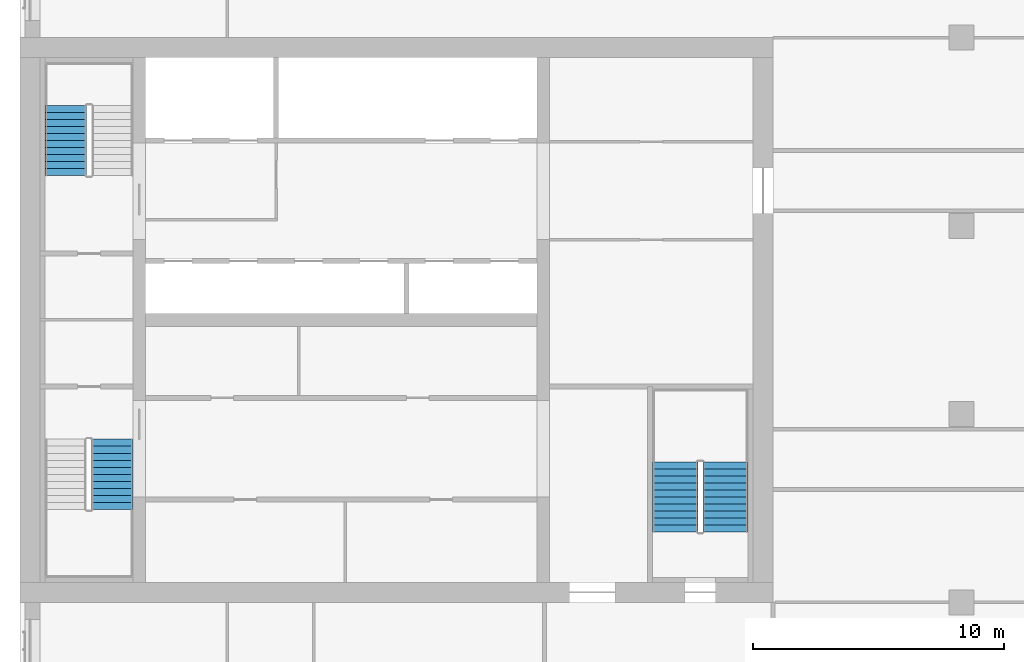
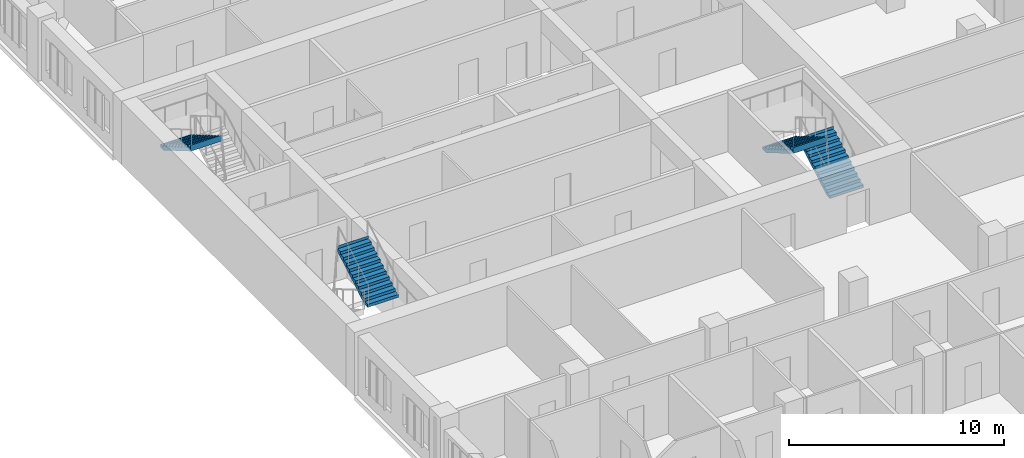
# One storey, part 12 of 14: 4 stair flights, 3 elements without a shape of their own.
"""IFC4 building model written with IfcOpenShell, lengths in metres."""

from ifc_helpers import new_model, si_unit, direction, frame, origin, place, context, subcontext, project, spatial, polyline, outline, extrude, material, type_object, element, aggregate, save


model = new_model("IFC4")

# Units and contexts
model_context = context("Model", 3, precision=1e-05, world=origin(), true_north=direction((0.0, 1.0)))
body_context = subcontext(model_context, "Body", "Model", "MODEL_VIEW")
ifc_project = project(units=[si_unit("LENGTHUNIT", "METRE"), si_unit("AREAUNIT", "SQUARE_METRE"), si_unit("VOLUMEUNIT", "CUBIC_METRE"), si_unit("PLANEANGLEUNIT", "RADIAN"), si_unit("MASSUNIT", "GRAM", prefix="KILO")], contexts=[model_context])

# Site, building, storey
site_placement = place(None, origin())
site = spatial("IfcSite", under=ifc_project, at=site_placement, CompositionType="ELEMENT")
building_placement = place(site_placement, origin())
building = spatial("IfcBuilding", under=site, at=building_placement, Name="Tamorin Gate", CompositionType="ELEMENT")
storey_placement = place(building_placement, frame((0.0, 0.0, 148.199951171875)))
storey = spatial("IfcBuildingStorey", under=building, at=storey_placement, Name="L36", CompositionType="ELEMENT", Elevation=148.199951171875)

# Stair, stair flight
ifc_material = material(Name="Concrete C40/50", Category="concrete")
stair_type = type_object("IfcStairType", Name="Exit stair", PredefinedType="HALF_TURN_STAIR", material=ifc_material)
stair_1_placement = place(storey_placement, origin())
stair_1 = element("IfcStair", 1, at=stair_1_placement, inside=storey, type_object=stair_type, Name="L36 stair ST1", PredefinedType="HALF_TURN_STAIR")
stair_flight_type = type_object("IfcStairFlightType", Name="Exit stair flight", PredefinedType="STRAIGHT", material=ifc_material)
stair_flight_1_placement = place(storey_placement, frame((33.675048828125, 63.699951171875, 1.800048828125), z_axis=(0.0, 0.0, 1.0), x_axis=(0.0, 1.0, 0.0)))
stair_flight_1 = element("IfcStairFlight", 2, at=stair_flight_1_placement, type_object=stair_flight_type, Name="ST1 flight 2", NumberOfRisers=11, NumberOfTreads=10, PredefinedType="STRAIGHT", RiserHeight=0.163636364, TreadLength=0.28, context=body_context, shape_type="SweptSolid", body=[
    extrude(outline(polyline([(-0.00048828125, 0.0), (-0.00048828125, 0.001708984375), (-0.00048828125, 0.003173828125), (-0.00048828125, 0.0048828125), (-0.00048828125, 0.006591796875), (-0.00048828125, 0.008056640625), (-0.00048828125, 0.009765625), (-0.00048828125, 0.01123046875), (-0.00048828125, 0.012939453125), (-0.00048828125, 0.0146484375), (-0.00048828125, 0.01611328125), (-0.00048828125, 0.017822265625), (-0.00048828125, 0.01953125), (-0.00048828125, 0.02099609375), (-0.00048828125, 0.022705078125), (-0.00048828125, 0.0244140625), (-0.00048828125, 0.02587890625), (-0.00048828125, 0.027587890625), (-0.00048828125, 0.029052734375), (-0.00048828125, 0.03076171875), (-0.00048828125, 0.032470703125), (-0.00048828125, 0.033935546875), (-0.00048828125, 0.03564453125), (-0.00048828125, 0.037353515625), (-0.00048828125, 0.038818359375), (-0.00048828125, 0.04052734375), (-0.00048828125, 0.042236328125), (-0.00048828125, 0.043701171875), (-0.00048828125, 0.04541015625), (-0.00048828125, 0.046875), (-0.00048828125, 0.048583984375), (-0.00048828125, 0.05029296875), (-0.00048828125, 0.0517578125), (-0.00048828125, 0.053466796875), (-0.00048828125, 0.05517578125), (-0.00048828125, 0.056640625), (-0.00048828125, 0.058349609375), (-0.00048828125, 0.06005859375), (-0.00048828125, 0.0615234375), (-0.00048828125, 0.063232421875), (-0.00048828125, 0.064697265625), (-0.00048828125, 0.06640625), (-0.00048828125, 0.068115234375), (-0.00048828125, 0.069580078125), (-0.00048828125, 0.0712890625), (-0.00048828125, 0.072998046875), (-0.00048828125, 0.074462890625), (-0.00048828125, 0.076171875), (-0.00048828125, 0.077880859375), (-0.00048828125, 0.079345703125), (-0.00048828125, 0.0810546875), (-0.00048828125, 0.08251953125), (-0.00048828125, 0.084228515625), (-0.00048828125, 0.0859375), (-0.00048828125, 0.08740234375), (-0.00048828125, 0.089111328125), (-0.00048828125, 0.0908203125), (-0.00048828125, 0.09228515625), (-0.00048828125, 0.093994140625), (-0.00048828125, 0.095703125), (-0.00048828125, 0.09716796875), (-0.00048828125, 0.098876953125), (-0.00048828125, 0.100341796875), (-0.00048828125, 0.10205078125), (-0.00048828125, 0.103759765625), (-0.00048828125, 0.105224609375), (-0.00048828125, 0.10693359375), (-0.00048828125, 0.108642578125), (-0.00048828125, 0.110107421875), (-0.00048828125, 0.11181640625), (-0.00048828125, 0.113525390625), (-0.00048828125, 0.114990234375), (-0.00048828125, 0.11669921875), (-0.00048828125, 0.1181640625), (-0.00048828125, 0.119873046875), (-0.00048828125, 0.12158203125), (-0.00048828125, 0.123046875), (-0.00048828125, 0.124755859375), (-0.00048828125, 0.12646484375), (-0.00048828125, 0.1279296875), (-0.00048828125, 0.129638671875), (-0.00048828125, 0.13134765625), (-0.00048828125, 0.1328125), (-0.00048828125, 0.134521484375), (-0.00048828125, 0.135986328125), (-0.00048828125, 0.1376953125), (-0.00048828125, 0.139404296875), (-0.00048828125, 0.140869140625), (-0.00048828125, 0.142578125), (-0.00048828125, 0.144287109375), (-0.00048828125, 0.145751953125), (-0.00048828125, 0.1474609375), (-0.00048828125, 0.149169921875), (-0.00048828125, 0.150634765625), (-0.00048828125, 0.15234375), (-0.00048828125, 0.15380859375), (-0.00048828125, 0.155517578125), (-0.00048828125, 0.1572265625), (-0.00048828125, 0.15869140625), (-0.00048828125, 0.160400390625), (-0.00048828125, 0.162109375), (-0.00048828125, 0.16357421875), (0.280029296875, 0.16357421875), (0.280029296875, 0.327392578125), (0.56005859375, 0.327392578125), (0.56005859375, 0.490966796875), (0.840087890625, 0.490966796875), (0.840087890625, 0.654541015625), (1.1201171875, 0.654541015625), (1.1201171875, 0.818115234375), (1.39990234375, 0.818115234375), (1.39990234375, 0.98193359375), (1.679931640625, 0.98193359375), (1.679931640625, 1.1455078125), (1.9599609375, 1.1455078125), (1.9599609375, 1.30908203125), (2.239990234375, 1.30908203125), (2.239990234375, 1.47265625), (2.52001953125, 1.47265625), (2.52001953125, 1.636474609375), (2.800048828125, 1.636474609375), (2.800048828125, 1.800048828125), (2.800537109375, 1.800048828125), (2.800537109375, 1.796630859375), (2.800537109375, 1.793212890625), (2.800537109375, 1.7900390625), (2.800537109375, 1.78662109375), (2.800537109375, 1.783203125), (2.800537109375, 1.780029296875), (2.800537109375, 1.776611328125), (2.800537109375, 1.773193359375), (2.800537109375, 1.77001953125), (2.800537109375, 1.7666015625), (2.800537109375, 1.76318359375), (2.800537109375, 1.760009765625), (2.800537109375, 1.756591796875), (2.800537109375, 1.753173828125), (2.800537109375, 1.75), (2.800537109375, 1.74658203125), (2.800537109375, 1.7431640625), (2.800537109375, 1.739990234375), (2.800537109375, 1.736572265625), (2.800537109375, 1.733154296875), (2.800537109375, 1.72998046875), (2.800537109375, 1.7265625), (2.800537109375, 1.72314453125), (2.800537109375, 1.719970703125), (2.800537109375, 1.716552734375), (2.800537109375, 1.713134765625), (2.800537109375, 1.7099609375), (2.800537109375, 1.70654296875), (2.800537109375, 1.703125), (2.800537109375, 1.69970703125), (2.800537109375, 1.696533203125), (2.800537109375, 1.693115234375), (2.800537109375, 1.689697265625), (2.800537109375, 1.6865234375), (2.800537109375, 1.68310546875), (2.800537109375, 1.6796875), (2.800537109375, 1.676513671875), (2.800537109375, 1.673095703125), (2.800537109375, 1.669677734375), (2.800537109375, 1.66650390625), (2.800537109375, 1.6630859375), (2.800537109375, 1.65966796875), (2.800537109375, 1.656494140625), (2.800537109375, 1.653076171875), (2.800537109375, 1.649658203125), (2.800537109375, 1.646484375), (2.800537109375, 1.64306640625), (2.800537109375, 1.6396484375), (2.800537109375, 1.636474609375), (2.800537109375, 1.633056640625), (2.800537109375, 1.629638671875), (2.800537109375, 1.62646484375), (2.800537109375, 1.623046875), (2.800537109375, 1.61962890625), (2.800537109375, 1.616455078125), (2.800537109375, 1.613037109375), (2.800537109375, 1.609619140625), (2.800537109375, 1.6064453125), (2.800537109375, 1.60302734375), (2.800537109375, 1.599609375), (2.800537109375, 1.59619140625), (2.800537109375, 1.593017578125), (2.800537109375, 1.589599609375), (2.800537109375, 1.586181640625), (2.800537109375, 1.5830078125), (2.800537109375, 1.57958984375), (2.800537109375, 1.576171875), (2.800537109375, 1.572998046875), (2.800537109375, 1.569580078125), (2.800537109375, 1.566162109375), (2.800537109375, 1.56298828125), (2.800537109375, 1.5595703125), (2.800537109375, 1.55615234375), (2.800537109375, 1.552978515625), (2.800537109375, 1.549560546875), (2.800537109375, 1.546142578125), (2.800537109375, 1.54296875), (2.800537109375, 1.53955078125), (2.800537109375, 1.5361328125), (2.800537109375, 1.532958984375), (2.800537109375, 1.529541015625), (2.800537109375, 1.526123046875), (2.800537109375, 1.52294921875), (2.800537109375, 1.51953125), (2.800537109375, 1.51611328125), (2.800537109375, 1.512939453125), (2.800537109375, 1.509521484375), (2.800537109375, 1.506103515625), (2.800537109375, 1.5029296875), (2.800537109375, 1.49951171875), (2.800537109375, 1.49609375), (2.800537109375, 1.49267578125), (2.800537109375, 1.489501953125), (2.800537109375, 1.486083984375), (2.800537109375, 1.482666015625), (2.800537109375, 1.4794921875), (2.800537109375, 1.47607421875), (2.800537109375, 1.47265625), (2.800537109375, 1.469482421875), (2.800537109375, 1.466064453125), (2.800537109375, 1.462646484375), (2.800048828125, 1.462646484375), (0.297119140625, 0.0), (-0.00048828125, 0.0)])), frame((0.0, 0.824951171875, 0.0), z_axis=(0.0, -1.0, 0.0), x_axis=(1.0, 0.0, 0.0)), (0.0, 0.0, 1.0), 1.64990234375),
])
aggregate(stair_1, [stair_flight_1])

stair_2_placement = place(storey_placement, origin())
stair_2 = element("IfcStair", 3, at=stair_2_placement, inside=storey, type_object=stair_type, Name="L36 stair ST2", PredefinedType="HALF_TURN_STAIR")
stair_flight_2_placement = place(storey_placement, frame((31.824951171875, 79.800048828125, 1.800048828125), z_axis=(0.0, 0.0, 1.0), x_axis=(0.0, -1.0, 0.0)))
stair_flight_2 = element("IfcStairFlight", 4, at=stair_flight_2_placement, type_object=stair_flight_type, Name="ST2 flight 2", NumberOfRisers=11, NumberOfTreads=10, PredefinedType="STRAIGHT", RiserHeight=0.163636364, TreadLength=0.28, context=body_context, shape_type="SweptSolid", body=[
    extrude(outline(polyline([(-0.00048828125, 0.0), (-0.00048828125, 0.001708984375), (-0.00048828125, 0.003173828125), (-0.00048828125, 0.0048828125), (-0.00048828125, 0.006591796875), (-0.00048828125, 0.008056640625), (-0.00048828125, 0.009765625), (-0.00048828125, 0.01123046875), (-0.00048828125, 0.012939453125), (-0.00048828125, 0.0146484375), (-0.00048828125, 0.01611328125), (-0.00048828125, 0.017822265625), (-0.00048828125, 0.01953125), (-0.00048828125, 0.02099609375), (-0.00048828125, 0.022705078125), (-0.00048828125, 0.0244140625), (-0.00048828125, 0.02587890625), (-0.00048828125, 0.027587890625), (-0.00048828125, 0.029052734375), (-0.00048828125, 0.03076171875), (-0.00048828125, 0.032470703125), (-0.00048828125, 0.033935546875), (-0.00048828125, 0.03564453125), (-0.00048828125, 0.037353515625), (-0.00048828125, 0.038818359375), (-0.00048828125, 0.04052734375), (-0.00048828125, 0.042236328125), (-0.00048828125, 0.043701171875), (-0.00048828125, 0.04541015625), (-0.00048828125, 0.046875), (-0.00048828125, 0.048583984375), (-0.00048828125, 0.05029296875), (-0.00048828125, 0.0517578125), (-0.00048828125, 0.053466796875), (-0.00048828125, 0.05517578125), (-0.00048828125, 0.056640625), (-0.00048828125, 0.058349609375), (-0.00048828125, 0.06005859375), (-0.00048828125, 0.0615234375), (-0.00048828125, 0.063232421875), (-0.00048828125, 0.064697265625), (-0.00048828125, 0.06640625), (-0.00048828125, 0.068115234375), (-0.00048828125, 0.069580078125), (-0.00048828125, 0.0712890625), (-0.00048828125, 0.072998046875), (-0.00048828125, 0.074462890625), (-0.00048828125, 0.076171875), (-0.00048828125, 0.077880859375), (-0.00048828125, 0.079345703125), (-0.00048828125, 0.0810546875), (-0.00048828125, 0.08251953125), (-0.00048828125, 0.084228515625), (-0.00048828125, 0.0859375), (-0.00048828125, 0.08740234375), (-0.00048828125, 0.089111328125), (-0.00048828125, 0.0908203125), (-0.00048828125, 0.09228515625), (-0.00048828125, 0.093994140625), (-0.00048828125, 0.095703125), (-0.00048828125, 0.09716796875), (-0.00048828125, 0.098876953125), (-0.00048828125, 0.100341796875), (-0.00048828125, 0.10205078125), (-0.00048828125, 0.103759765625), (-0.00048828125, 0.105224609375), (-0.00048828125, 0.10693359375), (-0.00048828125, 0.108642578125), (-0.00048828125, 0.110107421875), (-0.00048828125, 0.11181640625), (-0.00048828125, 0.113525390625), (-0.00048828125, 0.114990234375), (-0.00048828125, 0.11669921875), (-0.00048828125, 0.1181640625), (-0.00048828125, 0.119873046875), (-0.00048828125, 0.12158203125), (-0.00048828125, 0.123046875), (-0.00048828125, 0.124755859375), (-0.00048828125, 0.12646484375), (-0.00048828125, 0.1279296875), (-0.00048828125, 0.129638671875), (-0.00048828125, 0.13134765625), (-0.00048828125, 0.1328125), (-0.00048828125, 0.134521484375), (-0.00048828125, 0.135986328125), (-0.00048828125, 0.1376953125), (-0.00048828125, 0.139404296875), (-0.00048828125, 0.140869140625), (-0.00048828125, 0.142578125), (-0.00048828125, 0.144287109375), (-0.00048828125, 0.145751953125), (-0.00048828125, 0.1474609375), (-0.00048828125, 0.149169921875), (-0.00048828125, 0.150634765625), (-0.00048828125, 0.15234375), (-0.00048828125, 0.15380859375), (-0.00048828125, 0.155517578125), (-0.00048828125, 0.1572265625), (-0.00048828125, 0.15869140625), (-0.00048828125, 0.160400390625), (-0.00048828125, 0.162109375), (-0.00048828125, 0.16357421875), (0.280029296875, 0.16357421875), (0.280029296875, 0.327392578125), (0.56005859375, 0.327392578125), (0.56005859375, 0.490966796875), (0.840087890625, 0.490966796875), (0.840087890625, 0.654541015625), (1.1201171875, 0.654541015625), (1.1201171875, 0.818115234375), (1.39990234375, 0.818115234375), (1.39990234375, 0.98193359375), (1.679931640625, 0.98193359375), (1.679931640625, 1.1455078125), (1.9599609375, 1.1455078125), (1.9599609375, 1.30908203125), (2.239990234375, 1.30908203125), (2.239990234375, 1.47265625), (2.52001953125, 1.47265625), (2.52001953125, 1.636474609375), (2.800048828125, 1.636474609375), (2.800048828125, 1.800048828125), (2.800537109375, 1.800048828125), (2.800537109375, 1.796630859375), (2.800537109375, 1.793212890625), (2.800537109375, 1.7900390625), (2.800537109375, 1.78662109375), (2.800537109375, 1.783203125), (2.800537109375, 1.780029296875), (2.800537109375, 1.776611328125), (2.800537109375, 1.773193359375), (2.800537109375, 1.77001953125), (2.800537109375, 1.7666015625), (2.800537109375, 1.76318359375), (2.800537109375, 1.760009765625), (2.800537109375, 1.756591796875), (2.800537109375, 1.753173828125), (2.800537109375, 1.75), (2.800537109375, 1.74658203125), (2.800537109375, 1.7431640625), (2.800537109375, 1.739990234375), (2.800537109375, 1.736572265625), (2.800537109375, 1.733154296875), (2.800537109375, 1.72998046875), (2.800537109375, 1.7265625), (2.800537109375, 1.72314453125), (2.800537109375, 1.719970703125), (2.800537109375, 1.716552734375), (2.800537109375, 1.713134765625), (2.800537109375, 1.7099609375), (2.800537109375, 1.70654296875), (2.800537109375, 1.703125), (2.800537109375, 1.69970703125), (2.800537109375, 1.696533203125), (2.800537109375, 1.693115234375), (2.800537109375, 1.689697265625), (2.800537109375, 1.6865234375), (2.800537109375, 1.68310546875), (2.800537109375, 1.6796875), (2.800537109375, 1.676513671875), (2.800537109375, 1.673095703125), (2.800537109375, 1.669677734375), (2.800537109375, 1.66650390625), (2.800537109375, 1.6630859375), (2.800537109375, 1.65966796875), (2.800537109375, 1.656494140625), (2.800537109375, 1.653076171875), (2.800537109375, 1.649658203125), (2.800537109375, 1.646484375), (2.800537109375, 1.64306640625), (2.800537109375, 1.6396484375), (2.800537109375, 1.636474609375), (2.800537109375, 1.633056640625), (2.800537109375, 1.629638671875), (2.800537109375, 1.62646484375), (2.800537109375, 1.623046875), (2.800537109375, 1.61962890625), (2.800537109375, 1.616455078125), (2.800537109375, 1.613037109375), (2.800537109375, 1.609619140625), (2.800537109375, 1.6064453125), (2.800537109375, 1.60302734375), (2.800537109375, 1.599609375), (2.800537109375, 1.59619140625), (2.800537109375, 1.593017578125), (2.800537109375, 1.589599609375), (2.800537109375, 1.586181640625), (2.800537109375, 1.5830078125), (2.800537109375, 1.57958984375), (2.800537109375, 1.576171875), (2.800537109375, 1.572998046875), (2.800537109375, 1.569580078125), (2.800537109375, 1.566162109375), (2.800537109375, 1.56298828125), (2.800537109375, 1.5595703125), (2.800537109375, 1.55615234375), (2.800537109375, 1.552978515625), (2.800537109375, 1.549560546875), (2.800537109375, 1.546142578125), (2.800537109375, 1.54296875), (2.800537109375, 1.53955078125), (2.800537109375, 1.5361328125), (2.800537109375, 1.532958984375), (2.800537109375, 1.529541015625), (2.800537109375, 1.526123046875), (2.800537109375, 1.52294921875), (2.800537109375, 1.51953125), (2.800537109375, 1.51611328125), (2.800537109375, 1.512939453125), (2.800537109375, 1.509521484375), (2.800537109375, 1.506103515625), (2.800537109375, 1.5029296875), (2.800537109375, 1.49951171875), (2.800537109375, 1.49609375), (2.800537109375, 1.49267578125), (2.800537109375, 1.489501953125), (2.800537109375, 1.486083984375), (2.800537109375, 1.482666015625), (2.800537109375, 1.4794921875), (2.800537109375, 1.47607421875), (2.800537109375, 1.47265625), (2.800537109375, 1.469482421875), (2.800537109375, 1.466064453125), (2.800537109375, 1.462646484375), (2.800048828125, 1.462646484375), (0.297119140625, 0.0), (-0.00048828125, 0.0)])), frame((0.0, 0.824951171875, 0.0), z_axis=(0.0, -1.0, 0.0), x_axis=(1.0, 0.0, 0.0)), (0.0, 0.0, 1.0), 1.64990234375),
])
aggregate(stair_2, [stair_flight_2])

# Stair, stair flights
stair_3_placement = place(storey_placement, origin())
stair_3 = element("IfcStair", 5, at=stair_3_placement, inside=storey, type_object=stair_type, Name="L36 stair ST3", PredefinedType="HALF_TURN_STAIR")
stair_flight_3_placement = place(storey_placement, frame((58.10009765625, 62.800048828125, 0.0), z_axis=(0.0, 0.0, 1.0), x_axis=(0.0, 1.0, 0.0)))
stair_flight_3 = element("IfcStairFlight", 6, at=stair_flight_3_placement, type_object=stair_flight_type, Name="ST3 flight 1", NumberOfRisers=11, NumberOfTreads=10, PredefinedType="STRAIGHT", RiserHeight=0.163636364, TreadLength=0.28, context=body_context, shape_type="SweptSolid", body=[
    extrude(outline(polyline([(-0.00048828125, 0.0), (-0.00048828125, 0.001708984375), (-0.00048828125, 0.003173828125), (-0.00048828125, 0.0048828125), (-0.00048828125, 0.006591796875), (-0.00048828125, 0.008056640625), (-0.00048828125, 0.009765625), (-0.00048828125, 0.01123046875), (-0.00048828125, 0.012939453125), (-0.00048828125, 0.0146484375), (-0.00048828125, 0.01611328125), (-0.00048828125, 0.017822265625), (-0.00048828125, 0.01953125), (-0.00048828125, 0.02099609375), (-0.00048828125, 0.022705078125), (-0.00048828125, 0.0244140625), (-0.00048828125, 0.02587890625), (-0.00048828125, 0.027587890625), (-0.00048828125, 0.029052734375), (-0.00048828125, 0.03076171875), (-0.00048828125, 0.032470703125), (-0.00048828125, 0.033935546875), (-0.00048828125, 0.03564453125), (-0.00048828125, 0.037353515625), (-0.00048828125, 0.038818359375), (-0.00048828125, 0.04052734375), (-0.00048828125, 0.042236328125), (-0.00048828125, 0.043701171875), (-0.00048828125, 0.04541015625), (-0.00048828125, 0.046875), (-0.00048828125, 0.048583984375), (-0.00048828125, 0.05029296875), (-0.00048828125, 0.0517578125), (-0.00048828125, 0.053466796875), (-0.00048828125, 0.05517578125), (-0.00048828125, 0.056640625), (-0.00048828125, 0.058349609375), (-0.00048828125, 0.06005859375), (-0.00048828125, 0.0615234375), (-0.00048828125, 0.063232421875), (-0.00048828125, 0.064697265625), (-0.00048828125, 0.06640625), (-0.00048828125, 0.068115234375), (-0.00048828125, 0.069580078125), (-0.00048828125, 0.0712890625), (-0.00048828125, 0.072998046875), (-0.00048828125, 0.074462890625), (-0.00048828125, 0.076171875), (-0.00048828125, 0.077880859375), (-0.00048828125, 0.079345703125), (-0.00048828125, 0.0810546875), (-0.00048828125, 0.08251953125), (-0.00048828125, 0.084228515625), (-0.00048828125, 0.0859375), (-0.00048828125, 0.08740234375), (-0.00048828125, 0.089111328125), (-0.00048828125, 0.0908203125), (-0.00048828125, 0.09228515625), (-0.00048828125, 0.093994140625), (-0.00048828125, 0.095703125), (-0.00048828125, 0.09716796875), (-0.00048828125, 0.098876953125), (-0.00048828125, 0.100341796875), (-0.00048828125, 0.10205078125), (-0.00048828125, 0.103759765625), (-0.00048828125, 0.105224609375), (-0.00048828125, 0.10693359375), (-0.00048828125, 0.108642578125), (-0.00048828125, 0.110107421875), (-0.00048828125, 0.11181640625), (-0.00048828125, 0.113525390625), (-0.00048828125, 0.114990234375), (-0.00048828125, 0.11669921875), (-0.00048828125, 0.1181640625), (-0.00048828125, 0.119873046875), (-0.00048828125, 0.12158203125), (-0.00048828125, 0.123046875), (-0.00048828125, 0.124755859375), (-0.00048828125, 0.12646484375), (-0.00048828125, 0.1279296875), (-0.00048828125, 0.129638671875), (-0.00048828125, 0.13134765625), (-0.00048828125, 0.1328125), (-0.00048828125, 0.134521484375), (-0.00048828125, 0.135986328125), (-0.00048828125, 0.1376953125), (-0.00048828125, 0.139404296875), (-0.00048828125, 0.140869140625), (-0.00048828125, 0.142578125), (-0.00048828125, 0.144287109375), (-0.00048828125, 0.145751953125), (-0.00048828125, 0.1474609375), (-0.00048828125, 0.149169921875), (-0.00048828125, 0.150634765625), (-0.00048828125, 0.15234375), (-0.00048828125, 0.15380859375), (-0.00048828125, 0.155517578125), (-0.00048828125, 0.1572265625), (-0.00048828125, 0.15869140625), (-0.00048828125, 0.160400390625), (-0.00048828125, 0.162109375), (-0.00048828125, 0.16357421875), (0.280029296875, 0.16357421875), (0.280029296875, 0.327392578125), (0.56005859375, 0.327392578125), (0.56005859375, 0.490966796875), (0.840087890625, 0.490966796875), (0.840087890625, 0.654541015625), (1.1201171875, 0.654541015625), (1.1201171875, 0.818115234375), (1.39990234375, 0.818115234375), (1.39990234375, 0.98193359375), (1.679931640625, 0.98193359375), (1.679931640625, 1.1455078125), (1.9599609375, 1.1455078125), (1.9599609375, 1.30908203125), (2.239990234375, 1.30908203125), (2.239990234375, 1.47265625), (2.52001953125, 1.47265625), (2.52001953125, 1.636474609375), (2.800048828125, 1.636474609375), (2.800048828125, 1.800048828125), (2.800537109375, 1.800048828125), (2.800537109375, 1.796630859375), (2.800537109375, 1.793212890625), (2.800537109375, 1.7900390625), (2.800537109375, 1.78662109375), (2.800537109375, 1.783203125), (2.800537109375, 1.780029296875), (2.800537109375, 1.776611328125), (2.800537109375, 1.773193359375), (2.800537109375, 1.77001953125), (2.800537109375, 1.7666015625), (2.800537109375, 1.76318359375), (2.800537109375, 1.760009765625), (2.800537109375, 1.756591796875), (2.800537109375, 1.753173828125), (2.800537109375, 1.75), (2.800537109375, 1.74658203125), (2.800537109375, 1.7431640625), (2.800537109375, 1.739990234375), (2.800537109375, 1.736572265625), (2.800537109375, 1.733154296875), (2.800537109375, 1.72998046875), (2.800537109375, 1.7265625), (2.800537109375, 1.72314453125), (2.800537109375, 1.719970703125), (2.800537109375, 1.716552734375), (2.800537109375, 1.713134765625), (2.800537109375, 1.7099609375), (2.800537109375, 1.70654296875), (2.800537109375, 1.703125), (2.800537109375, 1.69970703125), (2.800537109375, 1.696533203125), (2.800537109375, 1.693115234375), (2.800537109375, 1.689697265625), (2.800537109375, 1.6865234375), (2.800537109375, 1.68310546875), (2.800537109375, 1.6796875), (2.800537109375, 1.676513671875), (2.800537109375, 1.673095703125), (2.800537109375, 1.669677734375), (2.800537109375, 1.66650390625), (2.800537109375, 1.6630859375), (2.800537109375, 1.65966796875), (2.800537109375, 1.656494140625), (2.800537109375, 1.653076171875), (2.800537109375, 1.649658203125), (2.800537109375, 1.646484375), (2.800537109375, 1.64306640625), (2.800537109375, 1.6396484375), (2.800537109375, 1.636474609375), (2.800537109375, 1.633056640625), (2.800537109375, 1.629638671875), (2.800537109375, 1.62646484375), (2.800537109375, 1.623046875), (2.800537109375, 1.61962890625), (2.800537109375, 1.616455078125), (2.800537109375, 1.613037109375), (2.800537109375, 1.609619140625), (2.800537109375, 1.6064453125), (2.800537109375, 1.60302734375), (2.800537109375, 1.599609375), (2.800537109375, 1.59619140625), (2.800537109375, 1.593017578125), (2.800537109375, 1.589599609375), (2.800537109375, 1.586181640625), (2.800537109375, 1.5830078125), (2.800537109375, 1.57958984375), (2.800537109375, 1.576171875), (2.800537109375, 1.572998046875), (2.800537109375, 1.569580078125), (2.800537109375, 1.566162109375), (2.800537109375, 1.56298828125), (2.800537109375, 1.5595703125), (2.800537109375, 1.55615234375), (2.800537109375, 1.552978515625), (2.800537109375, 1.549560546875), (2.800537109375, 1.546142578125), (2.800537109375, 1.54296875), (2.800537109375, 1.53955078125), (2.800537109375, 1.5361328125), (2.800537109375, 1.532958984375), (2.800537109375, 1.529541015625), (2.800537109375, 1.526123046875), (2.800537109375, 1.52294921875), (2.800537109375, 1.51953125), (2.800537109375, 1.51611328125), (2.800537109375, 1.512939453125), (2.800537109375, 1.509521484375), (2.800537109375, 1.506103515625), (2.800537109375, 1.5029296875), (2.800537109375, 1.49951171875), (2.800537109375, 1.49609375), (2.800537109375, 1.49267578125), (2.800537109375, 1.489501953125), (2.800537109375, 1.486083984375), (2.800537109375, 1.482666015625), (2.800537109375, 1.4794921875), (2.800537109375, 1.47607421875), (2.800537109375, 1.47265625), (2.800537109375, 1.469482421875), (2.800537109375, 1.466064453125), (2.800537109375, 1.462646484375), (2.800048828125, 1.462646484375), (0.297119140625, 0.0), (-0.00048828125, 0.0)])), frame((0.0, 0.89990234375, 0.0), z_axis=(0.0, -1.0, 0.0), x_axis=(1.0, 0.0, 0.0)), (0.0, 0.0, 1.0), 1.800048828125),
])
stair_flight_4_placement = place(storey_placement, frame((56.10009765625, 65.60009765625, 1.800048828125), z_axis=(0.0, 0.0, 1.0), x_axis=(0.0, -1.0, 0.0)))
stair_flight_4 = element("IfcStairFlight", 7, at=stair_flight_4_placement, type_object=stair_flight_type, Name="ST3 flight 2", NumberOfRisers=11, NumberOfTreads=10, PredefinedType="STRAIGHT", RiserHeight=0.163636364, TreadLength=0.28, context=body_context, shape_type="SweptSolid", body=[
    extrude(outline(polyline([(-0.00048828125, 0.0), (-0.00048828125, 0.001708984375), (-0.00048828125, 0.003173828125), (-0.00048828125, 0.0048828125), (-0.00048828125, 0.006591796875), (-0.00048828125, 0.008056640625), (-0.00048828125, 0.009765625), (-0.00048828125, 0.01123046875), (-0.00048828125, 0.012939453125), (-0.00048828125, 0.0146484375), (-0.00048828125, 0.01611328125), (-0.00048828125, 0.017822265625), (-0.00048828125, 0.01953125), (-0.00048828125, 0.02099609375), (-0.00048828125, 0.022705078125), (-0.00048828125, 0.0244140625), (-0.00048828125, 0.02587890625), (-0.00048828125, 0.027587890625), (-0.00048828125, 0.029052734375), (-0.00048828125, 0.03076171875), (-0.00048828125, 0.032470703125), (-0.00048828125, 0.033935546875), (-0.00048828125, 0.03564453125), (-0.00048828125, 0.037353515625), (-0.00048828125, 0.038818359375), (-0.00048828125, 0.04052734375), (-0.00048828125, 0.042236328125), (-0.00048828125, 0.043701171875), (-0.00048828125, 0.04541015625), (-0.00048828125, 0.046875), (-0.00048828125, 0.048583984375), (-0.00048828125, 0.05029296875), (-0.00048828125, 0.0517578125), (-0.00048828125, 0.053466796875), (-0.00048828125, 0.05517578125), (-0.00048828125, 0.056640625), (-0.00048828125, 0.058349609375), (-0.00048828125, 0.06005859375), (-0.00048828125, 0.0615234375), (-0.00048828125, 0.063232421875), (-0.00048828125, 0.064697265625), (-0.00048828125, 0.06640625), (-0.00048828125, 0.068115234375), (-0.00048828125, 0.069580078125), (-0.00048828125, 0.0712890625), (-0.00048828125, 0.072998046875), (-0.00048828125, 0.074462890625), (-0.00048828125, 0.076171875), (-0.00048828125, 0.077880859375), (-0.00048828125, 0.079345703125), (-0.00048828125, 0.0810546875), (-0.00048828125, 0.08251953125), (-0.00048828125, 0.084228515625), (-0.00048828125, 0.0859375), (-0.00048828125, 0.08740234375), (-0.00048828125, 0.089111328125), (-0.00048828125, 0.0908203125), (-0.00048828125, 0.09228515625), (-0.00048828125, 0.093994140625), (-0.00048828125, 0.095703125), (-0.00048828125, 0.09716796875), (-0.00048828125, 0.098876953125), (-0.00048828125, 0.100341796875), (-0.00048828125, 0.10205078125), (-0.00048828125, 0.103759765625), (-0.00048828125, 0.105224609375), (-0.00048828125, 0.10693359375), (-0.00048828125, 0.108642578125), (-0.00048828125, 0.110107421875), (-0.00048828125, 0.11181640625), (-0.00048828125, 0.113525390625), (-0.00048828125, 0.114990234375), (-0.00048828125, 0.11669921875), (-0.00048828125, 0.1181640625), (-0.00048828125, 0.119873046875), (-0.00048828125, 0.12158203125), (-0.00048828125, 0.123046875), (-0.00048828125, 0.124755859375), (-0.00048828125, 0.12646484375), (-0.00048828125, 0.1279296875), (-0.00048828125, 0.129638671875), (-0.00048828125, 0.13134765625), (-0.00048828125, 0.1328125), (-0.00048828125, 0.134521484375), (-0.00048828125, 0.135986328125), (-0.00048828125, 0.1376953125), (-0.00048828125, 0.139404296875), (-0.00048828125, 0.140869140625), (-0.00048828125, 0.142578125), (-0.00048828125, 0.144287109375), (-0.00048828125, 0.145751953125), (-0.00048828125, 0.1474609375), (-0.00048828125, 0.149169921875), (-0.00048828125, 0.150634765625), (-0.00048828125, 0.15234375), (-0.00048828125, 0.15380859375), (-0.00048828125, 0.155517578125), (-0.00048828125, 0.1572265625), (-0.00048828125, 0.15869140625), (-0.00048828125, 0.160400390625), (-0.00048828125, 0.162109375), (-0.00048828125, 0.16357421875), (0.280029296875, 0.16357421875), (0.280029296875, 0.327392578125), (0.56005859375, 0.327392578125), (0.56005859375, 0.490966796875), (0.840087890625, 0.490966796875), (0.840087890625, 0.654541015625), (1.1201171875, 0.654541015625), (1.1201171875, 0.818115234375), (1.39990234375, 0.818115234375), (1.39990234375, 0.98193359375), (1.679931640625, 0.98193359375), (1.679931640625, 1.1455078125), (1.9599609375, 1.1455078125), (1.9599609375, 1.30908203125), (2.239990234375, 1.30908203125), (2.239990234375, 1.47265625), (2.52001953125, 1.47265625), (2.52001953125, 1.636474609375), (2.800048828125, 1.636474609375), (2.800048828125, 1.800048828125), (2.800537109375, 1.800048828125), (2.800537109375, 1.796630859375), (2.800537109375, 1.793212890625), (2.800537109375, 1.7900390625), (2.800537109375, 1.78662109375), (2.800537109375, 1.783203125), (2.800537109375, 1.780029296875), (2.800537109375, 1.776611328125), (2.800537109375, 1.773193359375), (2.800537109375, 1.77001953125), (2.800537109375, 1.7666015625), (2.800537109375, 1.76318359375), (2.800537109375, 1.760009765625), (2.800537109375, 1.756591796875), (2.800537109375, 1.753173828125), (2.800537109375, 1.75), (2.800537109375, 1.74658203125), (2.800537109375, 1.7431640625), (2.800537109375, 1.739990234375), (2.800537109375, 1.736572265625), (2.800537109375, 1.733154296875), (2.800537109375, 1.72998046875), (2.800537109375, 1.7265625), (2.800537109375, 1.72314453125), (2.800537109375, 1.719970703125), (2.800537109375, 1.716552734375), (2.800537109375, 1.713134765625), (2.800537109375, 1.7099609375), (2.800537109375, 1.70654296875), (2.800537109375, 1.703125), (2.800537109375, 1.69970703125), (2.800537109375, 1.696533203125), (2.800537109375, 1.693115234375), (2.800537109375, 1.689697265625), (2.800537109375, 1.6865234375), (2.800537109375, 1.68310546875), (2.800537109375, 1.6796875), (2.800537109375, 1.676513671875), (2.800537109375, 1.673095703125), (2.800537109375, 1.669677734375), (2.800537109375, 1.66650390625), (2.800537109375, 1.6630859375), (2.800537109375, 1.65966796875), (2.800537109375, 1.656494140625), (2.800537109375, 1.653076171875), (2.800537109375, 1.649658203125), (2.800537109375, 1.646484375), (2.800537109375, 1.64306640625), (2.800537109375, 1.6396484375), (2.800537109375, 1.636474609375), (2.800537109375, 1.633056640625), (2.800537109375, 1.629638671875), (2.800537109375, 1.62646484375), (2.800537109375, 1.623046875), (2.800537109375, 1.61962890625), (2.800537109375, 1.616455078125), (2.800537109375, 1.613037109375), (2.800537109375, 1.609619140625), (2.800537109375, 1.6064453125), (2.800537109375, 1.60302734375), (2.800537109375, 1.599609375), (2.800537109375, 1.59619140625), (2.800537109375, 1.593017578125), (2.800537109375, 1.589599609375), (2.800537109375, 1.586181640625), (2.800537109375, 1.5830078125), (2.800537109375, 1.57958984375), (2.800537109375, 1.576171875), (2.800537109375, 1.572998046875), (2.800537109375, 1.569580078125), (2.800537109375, 1.566162109375), (2.800537109375, 1.56298828125), (2.800537109375, 1.5595703125), (2.800537109375, 1.55615234375), (2.800537109375, 1.552978515625), (2.800537109375, 1.549560546875), (2.800537109375, 1.546142578125), (2.800537109375, 1.54296875), (2.800537109375, 1.53955078125), (2.800537109375, 1.5361328125), (2.800537109375, 1.532958984375), (2.800537109375, 1.529541015625), (2.800537109375, 1.526123046875), (2.800537109375, 1.52294921875), (2.800537109375, 1.51953125), (2.800537109375, 1.51611328125), (2.800537109375, 1.512939453125), (2.800537109375, 1.509521484375), (2.800537109375, 1.506103515625), (2.800537109375, 1.5029296875), (2.800537109375, 1.49951171875), (2.800537109375, 1.49609375), (2.800537109375, 1.49267578125), (2.800537109375, 1.489501953125), (2.800537109375, 1.486083984375), (2.800537109375, 1.482666015625), (2.800537109375, 1.4794921875), (2.800537109375, 1.47607421875), (2.800537109375, 1.47265625), (2.800537109375, 1.469482421875), (2.800537109375, 1.466064453125), (2.800537109375, 1.462646484375), (2.800048828125, 1.462646484375), (0.297119140625, 0.0), (-0.00048828125, 0.0)])), frame((0.0, 0.89990234375, 0.0), z_axis=(0.0, -1.0, 0.0), x_axis=(1.0, 0.0, 0.0)), (0.0, 0.0, 1.0), 1.800048828125),
])
aggregate(stair_3, [stair_flight_3, stair_flight_4])

save(model, "model.ifc")
